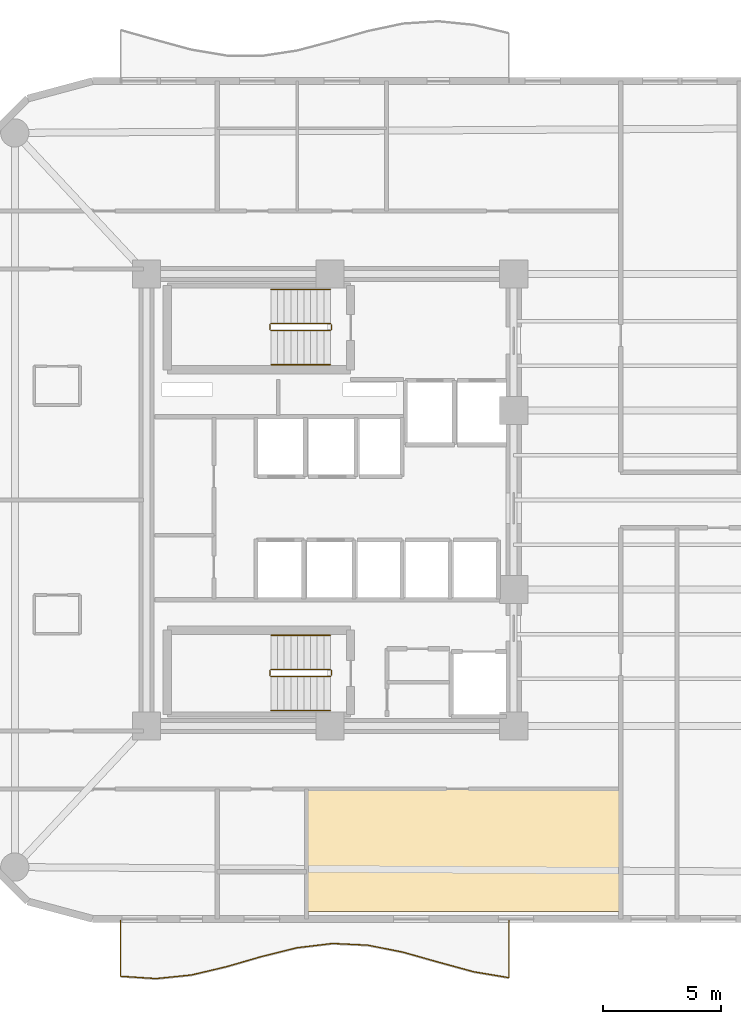
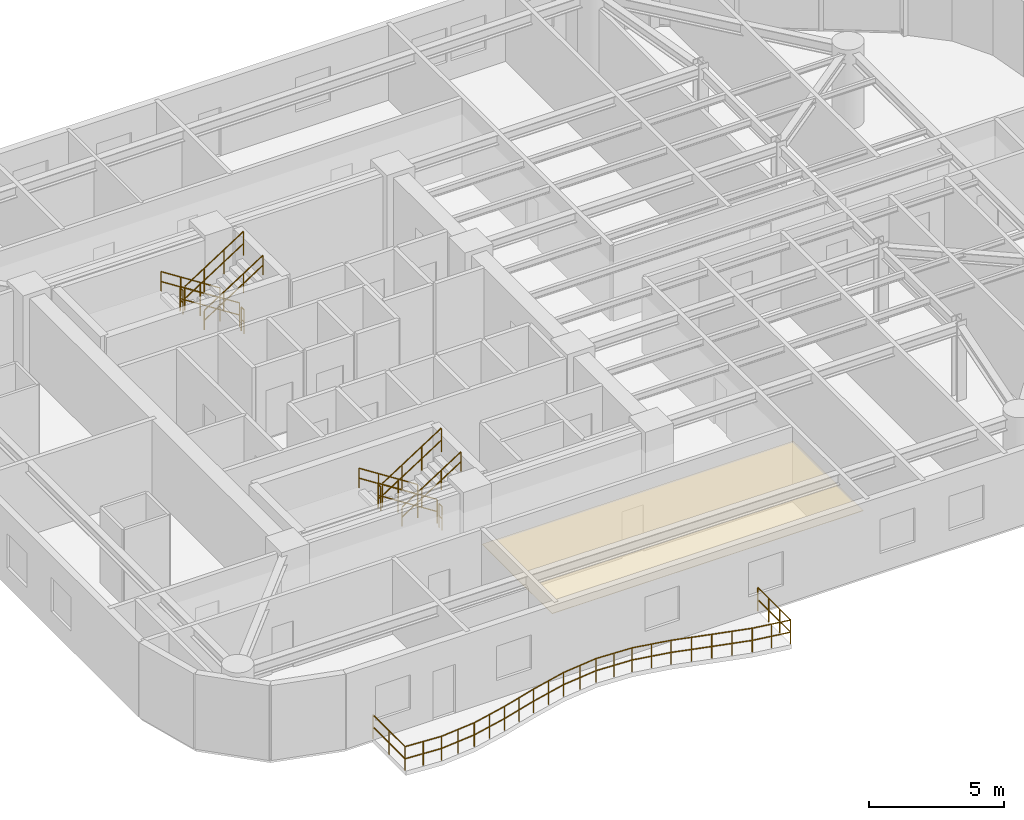
# One storey, part 12 of 13: 13 railings, 1 covering.
"""IFC4 building model written with IfcOpenShell, lengths in metres."""

import ifcopenshell
import ifcopenshell.guid

model = None  # the IFC model being written
_history = None  # IfcOwnerHistory: only IFC2X3 demands one
_inside = {}  # id of a spatial element -> (the spatial element, [elements in it])
_under = {}  # id of a project, library or spatial element -> (it, [spatial elements below it])
_declared = {}  # id of a project -> (the project, [libraries it declares])
_typed = {}  # id of a type object -> (the type object, [elements of that type])
_made_of = {}  # id of a material, layer set ... -> (it, [elements and type objects made of it])


def new_model(schema):
    """Start an empty IFC model of exactly this schema.

    Asked for "IFC4X3", IfcOpenShell would pick the latest addendum, in which some entities
    have other attributes; the version numbers below select the first issue.
    IFC2X3 requires an IfcOwnerHistory on every rooted entity: one is made here for all.
    """
    global model, _history
    if schema == "IFC4X3":
        model = ifcopenshell.file(schema_version=(4, 3, 0, 0))
    else:
        model = ifcopenshell.file(schema=schema)
    _inside.clear()
    _under.clear()
    _declared.clear()
    _typed.clear()
    _made_of.clear()
    _history = None
    if model.schema == "IFC2X3":
        org = make("IfcOrganization", Name="unknown")
        user = make(
            "IfcPersonAndOrganization",
            ThePerson=make("IfcPerson", FamilyName="unknown"),
            TheOrganization=org,
        )
        app = make(
            "IfcApplication",
            ApplicationDeveloper=org,
            Version="unknown",
            ApplicationFullName="unknown",
            ApplicationIdentifier="unknown",
        )
        _history = make(
            "IfcOwnerHistory",
            OwningUser=user,
            OwningApplication=app,
            ChangeAction="ADDED",
            CreationDate=0,
        )
    return model


def make(cls, **values):
    """One entity of the class cls with the attributes given. An attribute that is None is left unset."""
    return model.create_entity(
        cls, **{name: value for name, value in values.items() if value is not None}
    )


def rooted(cls, **values):
    """An entity with a GlobalId (a new one), such as an element, a storey or a relation."""
    return make(cls, GlobalId=ifcopenshell.guid.new(), OwnerHistory=_history, **values)


def si_unit(unit_type, name, prefix=None):
    """IfcSIUnit, for example si_unit("LENGTHUNIT", "METRE", prefix="MILLI")."""
    return make("IfcSIUnit", UnitType=unit_type, Prefix=prefix, Name=name)


def assignment(units):
    """IfcUnitAssignment: the units of a project."""
    return None if units is None else make("IfcUnitAssignment", Units=units)


def point(xyz):
    """IfcCartesianPoint."""
    return None if xyz is None else make("IfcCartesianPoint", Coordinates=xyz)


def direction(xyz):
    """IfcDirection."""
    return None if xyz is None else make("IfcDirection", DirectionRatios=xyz)


def frame(location, z_axis=None, x_axis=None):
    """IfcAxis2Placement3D, a coordinate frame: its origin and axes. An axis left out is left unset."""
    return make(
        "IfcAxis2Placement3D",
        Location=point(location),
        Axis=direction(z_axis),
        RefDirection=direction(x_axis),
    )


def frame_2d(location, x_axis=None):
    """IfcAxis2Placement2D, a coordinate frame in the plane: its origin and x axis."""
    return make(
        "IfcAxis2Placement2D", Location=point(location), RefDirection=direction(x_axis)
    )


def origin():
    """The frame at (0, 0, 0) with its axes left unset."""
    return frame((0.0, 0.0, 0.0))


def origin_2d():
    """The frame at (0, 0) in the plane with its x axis left unset."""
    return frame_2d((0.0, 0.0))


def place(relative_to, where):
    """IfcLocalPlacement: puts the frame where relative to a parent placement (None: the world)."""
    return make(
        "IfcLocalPlacement", PlacementRelTo=relative_to, RelativePlacement=where
    )


def context(
    kind, dimensions, precision=None, world=None, true_north=None, identifier=None
):
    """IfcGeometricRepresentationContext, for example the 3D "Model" context."""
    return make(
        "IfcGeometricRepresentationContext",
        ContextIdentifier=identifier,
        ContextType=kind,
        CoordinateSpaceDimension=dimensions,
        Precision=precision,
        WorldCoordinateSystem=world,
        TrueNorth=true_north,
    )


def subcontext(parent, identifier, kind, view, scale=None):
    """IfcGeometricRepresentationSubContext, for example "Body" below "Model"."""
    return make(
        "IfcGeometricRepresentationSubContext",
        ContextIdentifier=identifier,
        ContextType=kind,
        ParentContext=parent,
        TargetScale=scale,
        TargetView=view,
    )


def project(units=None, contexts=None):
    """IfcProject with its units and contexts."""
    return rooted(
        "IfcProject",
        Name="project",
        RepresentationContexts=contexts,
        UnitsInContext=assignment(units),
    )


def spatial(cls, under=None, at=None, **own):
    """A site, building, storey or space (cls), placed at a placement, below another one or the project."""
    s = rooted(cls, ObjectPlacement=at, **own)
    if under is not None:
        _under.setdefault(under.id(), (under, []))[1].append(s)
    return s


def polyline(points):
    """IfcPolyline through the points."""
    return make("IfcPolyline", Points=[point(p) for p in points])


def profile(cls, at=None, kind="AREA", **sizes):
    """A parametric profile (cls). Its sizes go by their IFC names, for example OverallWidth=200.0."""
    return make(cls, ProfileType=kind, Position=at, **sizes)


def circle(**sizes):
    """IfcCircleProfileDef."""
    return profile("IfcCircleProfileDef", **sizes)


def outline(outer, holes=None, kind="AREA"):
    """IfcArbitraryClosedProfileDef: a profile drawn as a closed curve; with holes, ...WithVoids."""
    if holes is None:
        return make("IfcArbitraryClosedProfileDef", ProfileType=kind, OuterCurve=outer)
    return make(
        "IfcArbitraryProfileDefWithVoids",
        ProfileType=kind,
        OuterCurve=outer,
        InnerCurves=holes,
    )


def extrude(swept, where, along, depth):
    """IfcExtrudedAreaSolid: the profile swept, set in the frame where, extruded along a direction by depth."""
    return make(
        "IfcExtrudedAreaSolid",
        SweptArea=swept,
        Position=where,
        ExtrudedDirection=direction(along),
        Depth=depth,
    )


def shape(context_of_items, identifier, shape_type, items):
    """IfcShapeRepresentation: the items that make up one representation, for example the "Body"."""
    return make(
        "IfcShapeRepresentation",
        ContextOfItems=context_of_items,
        RepresentationIdentifier=identifier,
        RepresentationType=shape_type,
        Items=items,
    )


def material(Name=None, Category=None):
    """IfcMaterial."""
    return make("IfcMaterial", Name=Name, Category=Category)


def layer(
    of_material, thickness, ventilated=None, Name=None, Category=None, Priority=None
):
    """IfcMaterialLayer: one layer of a wall or slab, of a material (None: an air gap)."""
    return make(
        "IfcMaterialLayer",
        Material=of_material,
        LayerThickness=thickness,
        IsVentilated=ventilated,
        Name=Name,
        Category=Category,
        Priority=Priority,
    )


def layer_set(layers, Name=None):
    """IfcMaterialLayerSet."""
    return make("IfcMaterialLayerSet", MaterialLayers=layers, LayerSetName=Name)


def made_of(thing, what):
    """Note that an element or type object is made of a material, layer set ...; save() writes the relation."""
    if what is not None:
        _made_of.setdefault(what.id(), (what, []))[1].append(thing)
    return thing


def type_object(cls, material=None, **own):
    """A type object (cls), such as IfcWallType, which elements share."""
    return made_of(rooted(cls, **own), material)


def element(
    cls,
    number,
    at=None,
    inside=None,
    cuts=None,
    type_object=None,
    material=None,
    context=None,
    identifier="Body",
    shape_type=None,
    held_by="IfcProductDefinitionShape",
    body=None,
    shapes=None,
    **own,
):
    """One element of the class cls, such as IfcWall. Its Tag is "e" and its number.

    at: its placement. inside: the storey or other place that contains it. cuts: it is an
    opening in that element (IfcRelVoidsElement). A single representation is given by context,
    identifier, shape_type and body (its items); several are given by shapes. held_by: the class
    of the entity that holds the representations. save() writes the other relations.
    """
    e = rooted(cls, Tag="e%d" % number, ObjectPlacement=at, **own)
    if body is not None:
        shapes = [shape(context, identifier, shape_type, body)]
    if shapes is not None:
        e.Representation = make(held_by, Representations=shapes)
    if inside is not None:
        _inside.setdefault(inside.id(), (inside, []))[1].append(e)
    if cuts is not None:
        rooted(
            "IfcRelVoidsElement", RelatingBuildingElement=cuts, RelatedOpeningElement=e
        )
    if type_object is not None:
        _typed.setdefault(type_object.id(), (type_object, []))[1].append(e)
    return made_of(e, material)


def aggregate(whole, parts):
    """IfcRelAggregates: a whole, such as a stair, and the parts it consists of."""
    return rooted("IfcRelAggregates", RelatingObject=whole, RelatedObjects=parts)


def save(model, path):
    """Write the relations noted so far, then the file.

    IfcRelAggregates (storeys below a building ...), IfcRelContainedInSpatialStructure (elements
    in a storey), IfcRelDefinesByType, IfcRelAssociatesMaterial and IfcRelDeclares: one each for
    every whole, place, type object, material and project.
    """
    for whole, parts in _under.values():
        aggregate(whole, parts)
    for where, things in _inside.values():
        rooted(
            "IfcRelContainedInSpatialStructure",
            RelatedElements=things,
            RelatingStructure=where,
        )
    for kind, things in _typed.values():
        rooted("IfcRelDefinesByType", RelatedObjects=things, RelatingType=kind)
    for what, things in _made_of.values():
        rooted("IfcRelAssociatesMaterial", RelatedObjects=things, RelatingMaterial=what)
    for by, libraries in _declared.values():
        rooted("IfcRelDeclares", RelatingContext=by, RelatedDefinitions=libraries)
    model.write(path)


model = new_model("IFC4")

# Units and contexts
model_context = context("Model", 3, precision=1e-05, world=origin(), true_north=direction((0.0, 1.0)))
body_context = subcontext(model_context, "Body", "Model", "MODEL_VIEW")
ifc_project = project(units=[si_unit("LENGTHUNIT", "METRE"), si_unit("AREAUNIT", "SQUARE_METRE"), si_unit("VOLUMEUNIT", "CUBIC_METRE"), si_unit("PLANEANGLEUNIT", "RADIAN"), si_unit("MASSUNIT", "GRAM", prefix="KILO")], contexts=[model_context])

# Site, building, storey
site_placement = place(None, origin())
site = spatial("IfcSite", under=ifc_project, at=site_placement, CompositionType="ELEMENT")
building_placement = place(site_placement, origin())
building = spatial("IfcBuilding", under=site, at=building_placement, Name="An Khanh Terracotta Commons", CompositionType="ELEMENT")
storey_placement = place(building_placement, frame((0.0, 0.0, 183.39990234375)))
storey = spatial("IfcBuildingStorey", under=building, at=storey_placement, Name="L48", CompositionType="ELEMENT", Elevation=183.39990234375)

# Covering
ifc_material_1 = material(Name="Perforated Mineral-Fibre Acoustic Tile")
ifc_layer = layer(ifc_material_1, 0.02001953125, Name="Perforated Mineral-Fibre Acoustic Tile")
ifc_layer_set = layer_set([ifc_layer], Name="Perforated Mineral-Fibre Acoustic Tile")
covering_type = type_object("IfcCoveringType", Name="CEIL-ACOUSTIC-18", PredefinedType="CEILING", material=ifc_layer_set)
covering_placement = place(storey_placement, frame((0.0, 0.0, 2.650146484375)))
element("IfcCovering", 1, at=covering_placement, inside=storey, type_object=covering_type, Name="L48 Music Lounge Ceiling", PredefinedType="CEILING", context=body_context, shape_type="SweptSolid", body=[
    extrude(outline(polyline([(28.39990234375, 6.52001953125), (28.39990234375, 8.199951171875), (28.39990234375, 11.719970703125), (37.5, 11.719970703125), (41.75, 11.719970703125), (41.75, 6.52001953125), (28.39990234375, 6.52001953125)])), origin(), (0.0, 0.0, 1.0), 0.02001953125),
])

# Railings
ifc_material_2 = material(Name="Brushed Stainless Steel 316", Category="steel")
railing_type_1 = type_object("IfcRailingType", Name="RAIL-BALUSTRADE-1100", PredefinedType="BALUSTRADE", material=ifc_material_2)
railing_1_placement = place(storey_placement, frame((20.5, 6.139892578125, 0.0)))
element("IfcRailing", 2, at=railing_1_placement, inside=storey, type_object=railing_type_1, Name="L48 S Wave Balcony Guard Balustrade", PredefinedType="BALUSTRADE", context=body_context, shape_type="SweptSolid", body=[
    extrude(circle(Radius=0.02392578125, at=origin_2d()), frame((0.0, 0.0, 1.076171875), z_axis=(0.0, -1.0, 0.0), x_axis=(1.0, 0.0, 0.0)), (0.0, 0.0, 1.0), 2.3798828125),
    extrude(circle(Radius=0.02392578125, at=origin_2d()), frame((0.0, 0.0, 0.52587890625), z_axis=(0.0, -1.0, 0.0), x_axis=(1.0, 0.0, 0.0)), (0.0, 0.0, 1.0), 2.3798828125),
    extrude(circle(Radius=0.02392578125, at=origin_2d()), frame((0.0, -2.3798828125, 1.076171875), z_axis=(0.99787689467, -0.065128358523, 0.0), x_axis=(0.065128358523, 0.99787689467, 0.0)), (0.0, 0.0, 1.0), 1.503173828125),
    extrude(circle(Radius=0.02392578125, at=origin_2d()), frame((0.0, -2.3798828125, 0.52587890625), z_axis=(0.99787689467, -0.065128358523, 0.0), x_axis=(0.065128358523, 0.99787689467, 0.0)), (0.0, 0.0, 1.0), 1.503173828125),
    extrude(circle(Radius=0.02392578125, at=origin_2d()), frame((1.5, -2.477783203125, 1.076171875), z_axis=(0.994849482387, 0.101363244788, 0.0), x_axis=(-0.101363244788, 0.994849482387, 0.0)), (0.0, 0.0, 1.0), 1.5078125),
    extrude(circle(Radius=0.02392578125, at=origin_2d()), frame((1.5, -2.477783203125, 0.52587890625), z_axis=(0.994849482387, 0.101363244788, 0.0), x_axis=(-0.101363244788, 0.994849482387, 0.0)), (0.0, 0.0, 1.0), 1.5078125),
    extrude(circle(Radius=0.02392578125, at=origin_2d()), frame((3.0, -2.324951171875, 1.076171875), z_axis=(0.973263214687, 0.229692653206, 0.0), x_axis=(-0.229692653206, 0.973263214687, 0.0)), (0.0, 0.0, 1.0), 1.541259765625),
    extrude(circle(Radius=0.02392578125, at=origin_2d()), frame((3.0, -2.324951171875, 0.52587890625), z_axis=(0.973263214687, 0.229692653206, 0.0), x_axis=(-0.229692653206, 0.973263214687, 0.0)), (0.0, 0.0, 1.0), 1.541259765625),
    extrude(circle(Radius=0.02392578125, at=origin_2d()), frame((4.5, -1.970947265625, 1.076171875), z_axis=(0.960419102414, 0.278559056071, 0.0), x_axis=(-0.278559056071, 0.960419102414, 0.0)), (0.0, 0.0, 1.0), 1.561767578125),
    extrude(circle(Radius=0.02392578125, at=origin_2d()), frame((4.5, -1.970947265625, 0.52587890625), z_axis=(0.960419102414, 0.278559056071, 0.0), x_axis=(-0.278559056071, 0.960419102414, 0.0)), (0.0, 0.0, 1.0), 1.561767578125),
    extrude(circle(Radius=0.02392578125, at=origin_2d()), frame((6.0, -1.535888671875, 1.076171875), z_axis=(0.970881568768, 0.239559970419, 0.0), x_axis=(-0.239559970419, 0.970881568768, 0.0)), (0.0, 0.0, 1.0), 1.544921875),
    extrude(circle(Radius=0.02392578125, at=origin_2d()), frame((6.0, -1.535888671875, 0.52587890625), z_axis=(0.970881568768, 0.239559970419, 0.0), x_axis=(-0.239559970419, 0.970881568768, 0.0)), (0.0, 0.0, 1.0), 1.544921875),
    extrude(circle(Radius=0.02392578125, at=origin_2d()), frame((7.5, -1.165771484375, 1.076171875), z_axis=(0.99288219023, 0.11910061429, 0.0), x_axis=(-0.11910061429, 0.99288219023, 0.0)), (0.0, 0.0, 1.0), 1.5107421875),
    extrude(circle(Radius=0.02392578125, at=origin_2d()), frame((7.5, -1.165771484375, 0.52587890625), z_axis=(0.99288219023, 0.11910061429, 0.0), x_axis=(-0.11910061429, 0.99288219023, 0.0)), (0.0, 0.0, 1.0), 1.5107421875),
    extrude(circle(Radius=0.02392578125, at=origin_2d()), frame((9.0, -0.98583984375, 1.076171875), z_axis=(0.998880243389, -0.047310245903, 0.0), x_axis=(0.047310245903, 0.998880243389, 0.0)), (0.0, 0.0, 1.0), 1.501708984375),
    extrude(circle(Radius=0.02392578125, at=origin_2d()), frame((9.0, -0.98583984375, 0.52587890625), z_axis=(0.998880243389, -0.047310245903, 0.0), x_axis=(0.047310245903, 0.998880243389, 0.0)), (0.0, 0.0, 1.0), 1.501708984375),
    extrude(circle(Radius=0.02392578125, at=origin_2d()), frame((10.5, -1.056884765625, 1.076171875), z_axis=(0.980819402607, -0.194918699639, 0.0), x_axis=(0.194918699639, 0.980819402607, 0.0)), (0.0, 0.0, 1.0), 1.529296875),
    extrude(circle(Radius=0.02392578125, at=origin_2d()), frame((10.5, -1.056884765625, 0.52587890625), z_axis=(0.980819402607, -0.194918699639, 0.0), x_axis=(0.194918699639, 0.980819402607, 0.0)), (0.0, 0.0, 1.0), 1.529296875),
    extrude(circle(Radius=0.02392578125, at=origin_2d()), frame((12.0, -1.35498046875, 1.076171875), z_axis=(0.962323659406, -0.271906554806, 0.0), x_axis=(0.271906554806, 0.962323659406, 0.0)), (0.0, 0.0, 1.0), 1.558837890625),
    extrude(circle(Radius=0.02392578125, at=origin_2d()), frame((12.0, -1.35498046875, 0.52587890625), z_axis=(0.962323659406, -0.271906554806, 0.0), x_axis=(0.271906554806, 0.962323659406, 0.0)), (0.0, 0.0, 1.0), 1.558837890625),
    extrude(circle(Radius=0.02392578125, at=origin_2d()), frame((13.5, -1.77880859375, 1.076171875), z_axis=(0.964908643051, -0.262585815622, 0.0), x_axis=(0.262585815622, 0.964908643051, 0.0)), (0.0, 0.0, 1.0), 1.554443359375),
    extrude(circle(Radius=0.02392578125, at=origin_2d()), frame((13.5, -1.77880859375, 0.52587890625), z_axis=(0.964908643051, -0.262585815622, 0.0), x_axis=(0.262585815622, 0.964908643051, 0.0)), (0.0, 0.0, 1.0), 1.554443359375),
    extrude(circle(Radius=0.02392578125, at=origin_2d()), frame((15.0, -2.18701171875, 1.076171875), z_axis=(0.986079829755, -0.16627257546, 0.0), x_axis=(0.16627257546, 0.986079829755, 0.0)), (0.0, 0.0, 1.0), 1.521240234375),
    extrude(circle(Radius=0.02392578125, at=origin_2d()), frame((15.0, -2.18701171875, 0.52587890625), z_axis=(0.986079829755, -0.16627257546, 0.0), x_axis=(0.16627257546, 0.986079829755, 0.0)), (0.0, 0.0, 1.0), 1.521240234375),
    extrude(circle(Radius=0.02392578125, at=origin_2d()), frame((16.5, -2.43994140625, 1.076171875), z_axis=(0.0, 1.0, 0.0), x_axis=(-1.0, 0.0, 0.0)), (0.0, 0.0, 1.0), 2.43994140625),
    extrude(circle(Radius=0.02392578125, at=origin_2d()), frame((16.5, -2.43994140625, 0.52587890625), z_axis=(0.0, 1.0, 0.0), x_axis=(-1.0, 0.0, 0.0)), (0.0, 0.0, 1.0), 2.43994140625),
    extrude(circle(Radius=0.02099609375, at=origin_2d()), origin(), (0.0, 0.0, 1.0), 1.052001953125),
    extrude(circle(Radius=0.02099609375, at=origin_2d()), frame((0.0, -1.18994140625, 0.0)), (0.0, 0.0, 1.0), 1.052001953125),
    extrude(circle(Radius=0.02099609375, at=origin_2d()), frame((0.0, -2.3798828125, 0.0)), (0.0, 0.0, 1.0), 1.052001953125),
    extrude(circle(Radius=0.02099609375, at=origin_2d()), frame((0.75, -2.4287109375, 0.0)), (0.0, 0.0, 1.0), 1.052001953125),
    extrude(circle(Radius=0.02099609375, at=origin_2d()), frame((1.5, -2.477783203125, 0.0)), (0.0, 0.0, 1.0), 1.052001953125),
    extrude(circle(Radius=0.02099609375, at=origin_2d()), frame((2.25, -2.4013671875, 0.0)), (0.0, 0.0, 1.0), 1.052001953125),
    extrude(circle(Radius=0.02099609375, at=origin_2d()), frame((3.0, -2.324951171875, 0.0)), (0.0, 0.0, 1.0), 1.052001953125),
    extrude(circle(Radius=0.02099609375, at=origin_2d()), frame((3.75, -2.14794921875, 0.0)), (0.0, 0.0, 1.0), 1.052001953125),
    extrude(circle(Radius=0.02099609375, at=origin_2d()), frame((4.5, -1.970947265625, 0.0)), (0.0, 0.0, 1.0), 1.052001953125),
    extrude(circle(Radius=0.02099609375, at=origin_2d()), frame((5.25, -1.75341796875, 0.0)), (0.0, 0.0, 1.0), 1.052001953125),
    extrude(circle(Radius=0.02099609375, at=origin_2d()), frame((6.0, -1.535888671875, 0.0)), (0.0, 0.0, 1.0), 1.052001953125),
    extrude(circle(Radius=0.02099609375, at=origin_2d()), frame((6.75, -1.350830078125, 0.0)), (0.0, 0.0, 1.0), 1.052001953125),
    extrude(circle(Radius=0.02099609375, at=origin_2d()), frame((7.5, -1.165771484375, 0.0)), (0.0, 0.0, 1.0), 1.052001953125),
    extrude(circle(Radius=0.02099609375, at=origin_2d()), frame((8.25, -1.07568359375, 0.0)), (0.0, 0.0, 1.0), 1.052001953125),
    extrude(circle(Radius=0.02099609375, at=origin_2d()), frame((9.0, -0.98583984375, 0.0)), (0.0, 0.0, 1.0), 1.052001953125),
    extrude(circle(Radius=0.02099609375, at=origin_2d()), frame((9.75, -1.021484375, 0.0)), (0.0, 0.0, 1.0), 1.052001953125),
    extrude(circle(Radius=0.02099609375, at=origin_2d()), frame((10.5, -1.056884765625, 0.0)), (0.0, 0.0, 1.0), 1.052001953125),
    extrude(circle(Radius=0.02099609375, at=origin_2d()), frame((11.25, -1.2060546875, 0.0)), (0.0, 0.0, 1.0), 1.052001953125),
    extrude(circle(Radius=0.02099609375, at=origin_2d()), frame((12.0, -1.35498046875, 0.0)), (0.0, 0.0, 1.0), 1.052001953125),
    extrude(circle(Radius=0.02099609375, at=origin_2d()), frame((12.75, -1.56689453125, 0.0)), (0.0, 0.0, 1.0), 1.052001953125),
    extrude(circle(Radius=0.02099609375, at=origin_2d()), frame((13.5, -1.77880859375, 0.0)), (0.0, 0.0, 1.0), 1.052001953125),
    extrude(circle(Radius=0.02099609375, at=origin_2d()), frame((14.25, -1.98291015625, 0.0)), (0.0, 0.0, 1.0), 1.052001953125),
    extrude(circle(Radius=0.02099609375, at=origin_2d()), frame((15.0, -2.18701171875, 0.0)), (0.0, 0.0, 1.0), 1.052001953125),
    extrude(circle(Radius=0.02099609375, at=origin_2d()), frame((15.75, -2.3134765625, 0.0)), (0.0, 0.0, 1.0), 1.052001953125),
    extrude(circle(Radius=0.02099609375, at=origin_2d()), frame((16.5, -2.43994140625, 0.0)), (0.0, 0.0, 1.0), 1.052001953125),
    extrude(circle(Radius=0.02099609375, at=origin_2d()), frame((16.5, -1.626708984375, 0.0)), (0.0, 0.0, 1.0), 1.052001953125),
    extrude(circle(Radius=0.02099609375, at=origin_2d()), frame((16.5, -0.813232421875, 0.0)), (0.0, 0.0, 1.0), 1.052001953125),
    extrude(circle(Radius=0.02099609375, at=origin_2d()), frame((16.5, 0.0, 0.0)), (0.0, 0.0, 1.0), 1.052001953125),
])
railing_type_2 = type_object("IfcRailingType", Name="RAIL-HANDRAIL-900", PredefinedType="HANDRAIL", material=ifc_material_2)
railing_2_placement = place(storey_placement, frame((29.409912109375, 32.949951171875, 0.18017578125)))
element("IfcRailing", 3, at=railing_2_placement, inside=storey, type_object=railing_type_2, Name="L48 ST-01 stair handrail 1", PredefinedType="HANDRAIL", context=body_context, shape_type="SweptSolid", body=[
    extrude(circle(Radius=0.02392578125, at=origin_2d()), frame((0.0, 0.0, 0.8759765625), z_axis=(-0.841199657755, 0.0, 0.540724639528), x_axis=(0.0, -1.0, 0.0)), (0.0, 0.0, 1.0), 2.995849609375),
    extrude(circle(Radius=0.02392578125, at=origin_2d()), frame((0.0, 0.0, 0.42578125), z_axis=(-0.841199657755, 0.0, 0.540724639528), x_axis=(0.0, -1.0, 0.0)), (0.0, 0.0, 1.0), 2.995849609375),
    extrude(circle(Radius=0.02099609375, at=origin_2d()), origin(), (0.0, 0.0, 1.0), 0.851806640625),
    extrude(circle(Radius=0.02099609375, at=origin_2d()), frame((-0.840087890625, 0.0, 0.5400390625)), (0.0, 0.0, 1.0), 0.851806640625),
    extrude(circle(Radius=0.02099609375, at=origin_2d()), frame((-1.679931640625, 0.0, 1.079833984375)), (0.0, 0.0, 1.0), 0.851806640625),
    extrude(circle(Radius=0.02099609375, at=origin_2d()), frame((-2.52001953125, 0.0, 1.619873046875)), (0.0, 0.0, 1.0), 0.851806640625),
])
railing_3_placement = place(storey_placement, frame((26.889892578125, 29.75, 1.97998046875)))
element("IfcRailing", 4, at=railing_3_placement, inside=storey, type_object=railing_type_2, Name="L48 ST-01 stair handrail 2", PredefinedType="HANDRAIL", context=body_context, shape_type="SweptSolid", body=[
    extrude(circle(Radius=0.02392578125, at=origin_2d()), frame((0.0, 0.0, 0.8759765625), z_axis=(0.841162588446, 0.0, 0.540782303519), x_axis=(0.0, 1.0, 0.0)), (0.0, 0.0, 1.0), 2.995849609375),
    extrude(circle(Radius=0.02392578125, at=origin_2d()), frame((0.0, 0.0, 0.42578125), z_axis=(0.841162588446, 0.0, 0.540782303519), x_axis=(0.0, 1.0, 0.0)), (0.0, 0.0, 1.0), 2.995849609375),
    extrude(circle(Radius=0.02099609375, at=origin_2d()), origin(), (0.0, 0.0, 1.0), 0.851806640625),
    extrude(circle(Radius=0.02099609375, at=origin_2d()), frame((0.840087890625, 0.0, 0.5400390625)), (0.0, 0.0, 1.0), 0.851806640625),
    extrude(circle(Radius=0.02099609375, at=origin_2d()), frame((1.679931640625, 0.0, 1.080078125)), (0.0, 0.0, 1.0), 0.851806640625),
    extrude(circle(Radius=0.02099609375, at=origin_2d()), frame((2.52001953125, 0.0, 1.6201171875)), (0.0, 0.0, 1.0), 0.851806640625),
])
railing_4_placement = place(storey_placement, frame((29.409912109375, 18.25, 0.18017578125)))
element("IfcRailing", 5, at=railing_4_placement, inside=storey, type_object=railing_type_2, Name="L48 ST-02 stair handrail 1", PredefinedType="HANDRAIL", context=body_context, shape_type="SweptSolid", body=[
    extrude(circle(Radius=0.02392578125, at=origin_2d()), frame((0.0, 0.0, 0.8759765625), z_axis=(-0.841199657755, 0.0, 0.540724639528), x_axis=(0.0, -1.0, 0.0)), (0.0, 0.0, 1.0), 2.995849609375),
    extrude(circle(Radius=0.02392578125, at=origin_2d()), frame((0.0, 0.0, 0.42578125), z_axis=(-0.841199657755, 0.0, 0.540724639528), x_axis=(0.0, -1.0, 0.0)), (0.0, 0.0, 1.0), 2.995849609375),
    extrude(circle(Radius=0.02099609375, at=origin_2d()), origin(), (0.0, 0.0, 1.0), 0.851806640625),
    extrude(circle(Radius=0.02099609375, at=origin_2d()), frame((-0.840087890625, 0.0, 0.5400390625)), (0.0, 0.0, 1.0), 0.851806640625),
    extrude(circle(Radius=0.02099609375, at=origin_2d()), frame((-1.679931640625, 0.0, 1.079833984375)), (0.0, 0.0, 1.0), 0.851806640625),
    extrude(circle(Radius=0.02099609375, at=origin_2d()), frame((-2.52001953125, 0.0, 1.619873046875)), (0.0, 0.0, 1.0), 0.851806640625),
])
railing_5_placement = place(storey_placement, frame((26.889892578125, 15.050048828125, 1.97998046875)))
element("IfcRailing", 6, at=railing_5_placement, inside=storey, type_object=railing_type_2, Name="L48 ST-02 stair handrail 2", PredefinedType="HANDRAIL", context=body_context, shape_type="SweptSolid", body=[
    extrude(circle(Radius=0.02392578125, at=origin_2d()), frame((0.0, 0.0, 0.8759765625), z_axis=(0.841162588446, 0.0, 0.540782303519), x_axis=(0.0, 1.0, 0.0)), (0.0, 0.0, 1.0), 2.995849609375),
    extrude(circle(Radius=0.02392578125, at=origin_2d()), frame((0.0, 0.0, 0.42578125), z_axis=(0.841162588446, 0.0, 0.540782303519), x_axis=(0.0, 1.0, 0.0)), (0.0, 0.0, 1.0), 2.995849609375),
    extrude(circle(Radius=0.02099609375, at=origin_2d()), origin(), (0.0, 0.0, 1.0), 0.851806640625),
    extrude(circle(Radius=0.02099609375, at=origin_2d()), frame((0.840087890625, 0.0, 0.5400390625)), (0.0, 0.0, 1.0), 0.851806640625),
    extrude(circle(Radius=0.02099609375, at=origin_2d()), frame((1.679931640625, 0.0, 1.080078125)), (0.0, 0.0, 1.0), 0.851806640625),
    extrude(circle(Radius=0.02099609375, at=origin_2d()), frame((2.52001953125, 0.0, 1.6201171875)), (0.0, 0.0, 1.0), 0.851806640625),
])
ifc_material_3 = material(Name="Powder-Coated Steel S355J2", Category="steel")
railing_type_3 = type_object("IfcRailingType", Name="RAIL-STAIR-GUARD-1100", PredefinedType="BALUSTRADE", material=ifc_material_3)
railing_6_placement = place(storey_placement, frame((29.409912109375, 31.5, 0.18017578125)))
element("IfcRailing", 7, at=railing_6_placement, inside=storey, type_object=railing_type_3, Name="L48 ST-01 stair guard 1", PredefinedType="BALUSTRADE", context=body_context, shape_type="SweptSolid", body=[
    extrude(circle(Radius=0.02392578125, at=origin_2d()), frame((0.0, 0.0, 1.076171875), z_axis=(-0.841199657755, 0.0, 0.540724639528), x_axis=(0.0, -1.0, 0.0)), (0.0, 0.0, 1.0), 2.995849609375),
    extrude(circle(Radius=0.02392578125, at=origin_2d()), frame((0.0, 0.0, 0.52587890625), z_axis=(-0.841199657755, 0.0, 0.540724639528), x_axis=(0.0, -1.0, 0.0)), (0.0, 0.0, 1.0), 2.995849609375),
    extrude(circle(Radius=0.02099609375, at=origin_2d()), origin(), (0.0, 0.0, 1.0), 1.052001953125),
    extrude(circle(Radius=0.02099609375, at=origin_2d()), frame((-0.840087890625, 0.0, 0.5400390625)), (0.0, 0.0, 1.0), 1.052001953125),
    extrude(circle(Radius=0.02099609375, at=origin_2d()), frame((-1.679931640625, 0.0, 1.079833984375)), (0.0, 0.0, 1.0), 1.052001953125),
    extrude(circle(Radius=0.02099609375, at=origin_2d()), frame((-2.52001953125, 0.0, 1.619873046875)), (0.0, 0.0, 1.0), 1.052001953125),
])
railing_7_placement = place(storey_placement, frame((26.840087890625, 31.449951171875, 1.800048828125)))
element("IfcRailing", 8, at=railing_7_placement, inside=storey, type_object=railing_type_3, Name="L48 ST-01 stair guard 2", PredefinedType="BALUSTRADE", context=body_context, shape_type="SweptSolid", body=[
    extrude(circle(Radius=0.02392578125, at=origin_2d()), frame((0.0, 0.0, 1.076171875), z_axis=(0.0, -1.0, 0.0), x_axis=(1.0, 0.0, 0.0)), (0.0, 0.0, 1.0), 0.199951171875),
    extrude(circle(Radius=0.02392578125, at=origin_2d()), frame((0.0, 0.0, 0.52587890625), z_axis=(0.0, -1.0, 0.0), x_axis=(1.0, 0.0, 0.0)), (0.0, 0.0, 1.0), 0.199951171875),
    extrude(circle(Radius=0.02099609375, at=origin_2d()), origin(), (0.0, 0.0, 1.0), 1.052001953125),
    extrude(circle(Radius=0.02099609375, at=origin_2d()), frame((0.0, -0.199951171875, 0.0)), (0.0, 0.0, 1.0), 1.052001953125),
])
railing_8_placement = place(storey_placement, frame((26.889892578125, 31.199951171875, 1.97998046875)))
element("IfcRailing", 9, at=railing_8_placement, inside=storey, type_object=railing_type_3, Name="L48 ST-01 stair guard 3", PredefinedType="BALUSTRADE", context=body_context, shape_type="SweptSolid", body=[
    extrude(circle(Radius=0.02392578125, at=origin_2d()), frame((0.0, 0.0, 1.076171875), z_axis=(0.841162588446, 0.0, 0.540782303519), x_axis=(0.0, 1.0, 0.0)), (0.0, 0.0, 1.0), 2.995849609375),
    extrude(circle(Radius=0.02392578125, at=origin_2d()), frame((0.0, 0.0, 0.52587890625), z_axis=(0.841162588446, 0.0, 0.540782303519), x_axis=(0.0, 1.0, 0.0)), (0.0, 0.0, 1.0), 2.995849609375),
    extrude(circle(Radius=0.02099609375, at=origin_2d()), origin(), (0.0, 0.0, 1.0), 1.052001953125),
    extrude(circle(Radius=0.02099609375, at=origin_2d()), frame((0.840087890625, 0.0, 0.5400390625)), (0.0, 0.0, 1.0), 1.052001953125),
    extrude(circle(Radius=0.02099609375, at=origin_2d()), frame((1.679931640625, 0.0, 1.080078125)), (0.0, 0.0, 1.0), 1.052001953125),
    extrude(circle(Radius=0.02099609375, at=origin_2d()), frame((2.52001953125, 0.0, 1.6201171875)), (0.0, 0.0, 1.0), 1.052001953125),
])
railing_9_placement = place(storey_placement, frame((29.4599609375, 31.449951171875, 0.0)))
element("IfcRailing", 10, at=railing_9_placement, inside=storey, type_object=railing_type_3, Name="L48 ST-01 stair guard 4", PredefinedType="BALUSTRADE", context=body_context, shape_type="SweptSolid", body=[
    extrude(circle(Radius=0.02392578125, at=origin_2d()), frame((0.0, 0.0, 1.076171875), z_axis=(0.0, -1.0, 0.0), x_axis=(1.0, 0.0, 0.0)), (0.0, 0.0, 1.0), 0.199951171875),
    extrude(circle(Radius=0.02392578125, at=origin_2d()), frame((0.0, 0.0, 0.52587890625), z_axis=(0.0, -1.0, 0.0), x_axis=(1.0, 0.0, 0.0)), (0.0, 0.0, 1.0), 0.199951171875),
    extrude(circle(Radius=0.02099609375, at=origin_2d()), origin(), (0.0, 0.0, 1.0), 1.052001953125),
    extrude(circle(Radius=0.02099609375, at=origin_2d()), frame((0.0, -0.199951171875, 0.0)), (0.0, 0.0, 1.0), 1.052001953125),
])
railing_10_placement = place(storey_placement, frame((29.409912109375, 16.800048828125, 0.18017578125)))
element("IfcRailing", 11, at=railing_10_placement, inside=storey, type_object=railing_type_3, Name="L48 ST-02 stair guard 1", PredefinedType="BALUSTRADE", context=body_context, shape_type="SweptSolid", body=[
    extrude(circle(Radius=0.02392578125, at=origin_2d()), frame((0.0, 0.0, 1.076171875), z_axis=(-0.841199657755, 0.0, 0.540724639528), x_axis=(0.0, -1.0, 0.0)), (0.0, 0.0, 1.0), 2.995849609375),
    extrude(circle(Radius=0.02392578125, at=origin_2d()), frame((0.0, 0.0, 0.52587890625), z_axis=(-0.841199657755, 0.0, 0.540724639528), x_axis=(0.0, -1.0, 0.0)), (0.0, 0.0, 1.0), 2.995849609375),
    extrude(circle(Radius=0.02099609375, at=origin_2d()), origin(), (0.0, 0.0, 1.0), 1.052001953125),
    extrude(circle(Radius=0.02099609375, at=origin_2d()), frame((-0.840087890625, 0.0, 0.5400390625)), (0.0, 0.0, 1.0), 1.052001953125),
    extrude(circle(Radius=0.02099609375, at=origin_2d()), frame((-1.679931640625, 0.0, 1.079833984375)), (0.0, 0.0, 1.0), 1.052001953125),
    extrude(circle(Radius=0.02099609375, at=origin_2d()), frame((-2.52001953125, 0.0, 1.619873046875)), (0.0, 0.0, 1.0), 1.052001953125),
])
railing_11_placement = place(storey_placement, frame((26.840087890625, 16.75, 1.800048828125)))
element("IfcRailing", 12, at=railing_11_placement, inside=storey, type_object=railing_type_3, Name="L48 ST-02 stair guard 2", PredefinedType="BALUSTRADE", context=body_context, shape_type="SweptSolid", body=[
    extrude(circle(Radius=0.02392578125, at=origin_2d()), frame((0.0, 0.0, 1.076171875), z_axis=(0.0, -1.0, 0.0), x_axis=(1.0, 0.0, 0.0)), (0.0, 0.0, 1.0), 0.199951171875),
    extrude(circle(Radius=0.02392578125, at=origin_2d()), frame((0.0, 0.0, 0.52587890625), z_axis=(0.0, -1.0, 0.0), x_axis=(1.0, 0.0, 0.0)), (0.0, 0.0, 1.0), 0.199951171875),
    extrude(circle(Radius=0.02099609375, at=origin_2d()), origin(), (0.0, 0.0, 1.0), 1.052001953125),
    extrude(circle(Radius=0.02099609375, at=origin_2d()), frame((0.0, -0.199951171875, 0.0)), (0.0, 0.0, 1.0), 1.052001953125),
])
railing_12_placement = place(storey_placement, frame((26.889892578125, 16.5, 1.97998046875)))
element("IfcRailing", 13, at=railing_12_placement, inside=storey, type_object=railing_type_3, Name="L48 ST-02 stair guard 3", PredefinedType="BALUSTRADE", context=body_context, shape_type="SweptSolid", body=[
    extrude(circle(Radius=0.02392578125, at=origin_2d()), frame((0.0, 0.0, 1.076171875), z_axis=(0.841162588446, 0.0, 0.540782303519), x_axis=(0.0, 1.0, 0.0)), (0.0, 0.0, 1.0), 2.995849609375),
    extrude(circle(Radius=0.02392578125, at=origin_2d()), frame((0.0, 0.0, 0.52587890625), z_axis=(0.841162588446, 0.0, 0.540782303519), x_axis=(0.0, 1.0, 0.0)), (0.0, 0.0, 1.0), 2.995849609375),
    extrude(circle(Radius=0.02099609375, at=origin_2d()), origin(), (0.0, 0.0, 1.0), 1.052001953125),
    extrude(circle(Radius=0.02099609375, at=origin_2d()), frame((0.840087890625, 0.0, 0.5400390625)), (0.0, 0.0, 1.0), 1.052001953125),
    extrude(circle(Radius=0.02099609375, at=origin_2d()), frame((1.679931640625, 0.0, 1.080078125)), (0.0, 0.0, 1.0), 1.052001953125),
    extrude(circle(Radius=0.02099609375, at=origin_2d()), frame((2.52001953125, 0.0, 1.6201171875)), (0.0, 0.0, 1.0), 1.052001953125),
])
railing_13_placement = place(storey_placement, frame((29.4599609375, 16.75, 0.0)))
element("IfcRailing", 14, at=railing_13_placement, inside=storey, type_object=railing_type_3, Name="L48 ST-02 stair guard 4", PredefinedType="BALUSTRADE", context=body_context, shape_type="SweptSolid", body=[
    extrude(circle(Radius=0.02392578125, at=origin_2d()), frame((0.0, 0.0, 1.076171875), z_axis=(0.0, -1.0, 0.0), x_axis=(1.0, 0.0, 0.0)), (0.0, 0.0, 1.0), 0.199951171875),
    extrude(circle(Radius=0.02392578125, at=origin_2d()), frame((0.0, 0.0, 0.52587890625), z_axis=(0.0, -1.0, 0.0), x_axis=(1.0, 0.0, 0.0)), (0.0, 0.0, 1.0), 0.199951171875),
    extrude(circle(Radius=0.02099609375, at=origin_2d()), origin(), (0.0, 0.0, 1.0), 1.052001953125),
    extrude(circle(Radius=0.02099609375, at=origin_2d()), frame((0.0, -0.199951171875, 0.0)), (0.0, 0.0, 1.0), 1.052001953125),
])

save(model, "model.ifc")
